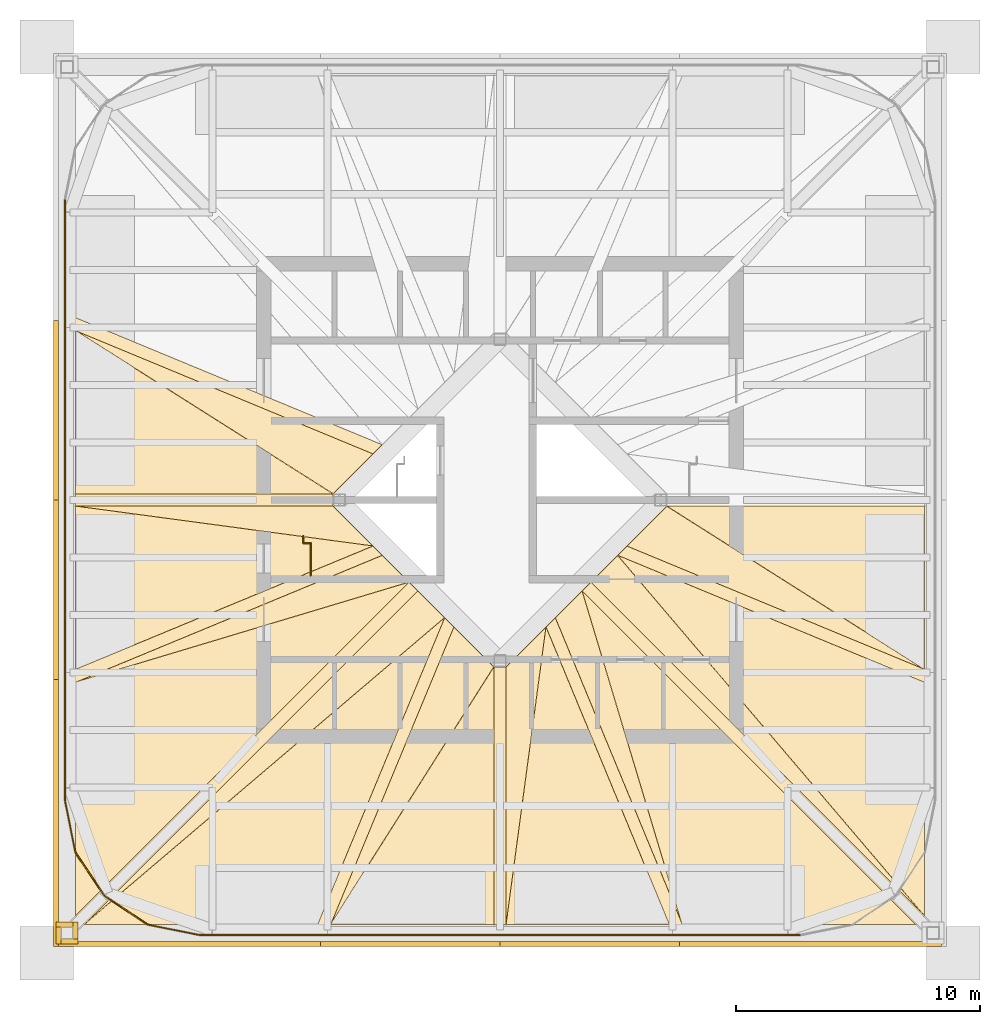
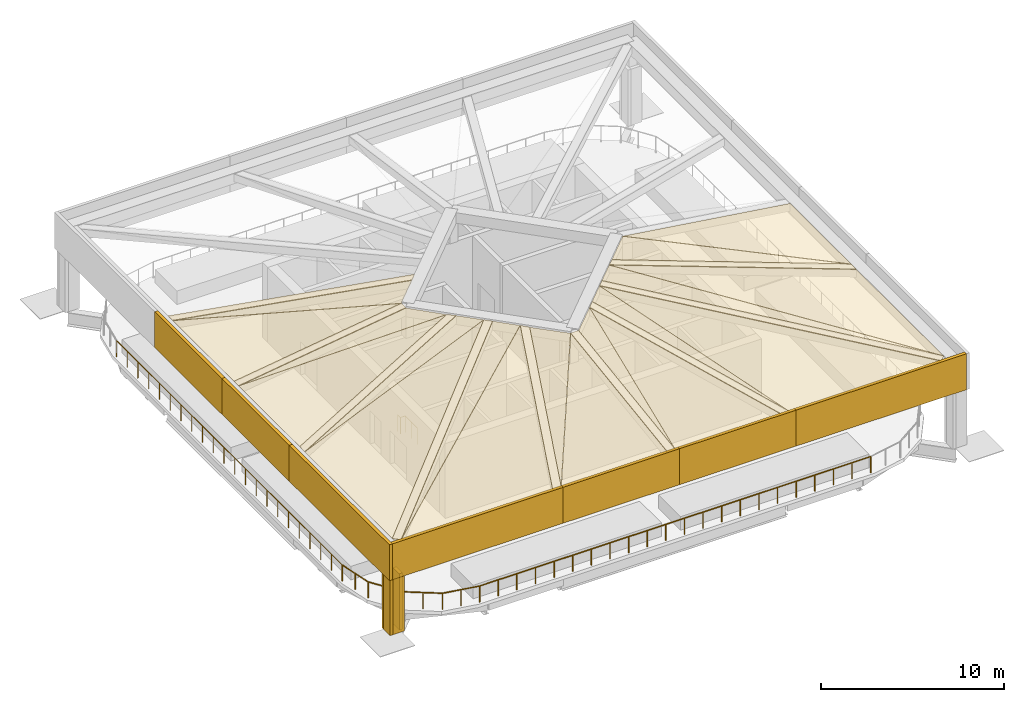
# One storey, part 4 of 7: 38 coverings, 7 railings.
"""IFC4 building model written with IfcOpenShell, lengths in metres."""

from ifc_helpers import new_model, si_unit, direction, frame, origin, origin_2d, place, context, subcontext, project, spatial, polyline, rectangle, circle, outline, extrude, material, type_object, element, save


model = new_model("IFC4")

# Units and contexts
model_context = context("Model", 3, precision=1e-05, world=origin(), true_north=direction((0.0, 1.0)))
body_context = subcontext(model_context, "Body", "Model", "MODEL_VIEW")
ifc_project = project(units=[si_unit("LENGTHUNIT", "METRE"), si_unit("AREAUNIT", "SQUARE_METRE"), si_unit("VOLUMEUNIT", "CUBIC_METRE"), si_unit("PLANEANGLEUNIT", "RADIAN"), si_unit("MASSUNIT", "GRAM", prefix="KILO")], contexts=[model_context])

# Site, building, storey
site_placement = place(None, origin())
site = spatial("IfcSite", under=ifc_project, at=site_placement, CompositionType="ELEMENT")
building_placement = place(site_placement, origin())
building = spatial("IfcBuilding", under=site, at=building_placement, Name="Turquesa Mirador Hotel Tower", CompositionType="ELEMENT")
storey_placement = place(building_placement, frame((0.0, 0.0, 272.199951171875)))
storey = spatial("IfcBuildingStorey", under=building, at=storey_placement, Name="RF", CompositionType="ELEMENT", Elevation=272.199951171875)

# Coverings
ifc_material_1 = material(Name="Laminated glass 30 with turquoise ceramic frit", Category="glass")
covering_type_1 = type_object("IfcCoveringType", Name="CANOPY GLAZING FRITTED LAMINATED GLASS 30", PredefinedType="ROOFING", material=ifc_material_1)
covering_1_placement = place(storey_placement, frame((37.622802734375, 51.92919921875, 5.541259765625), z_axis=(-0.082112226409, 0.094284064765, 0.992153263063), x_axis=(0.918051901641, -0.380276827318, 0.112117083882)))
element("IfcCovering", 1, at=covering_1_placement, inside=storey, type_object=covering_type_1, Name="Canopy glazing panel 07A", PredefinedType="ROOFING", context=body_context, shape_type="SweptSolid", body=[
    extrude(outline(polyline([(0.0, 0.0), (13.250395494532532, -7.216449660063518e-16), (12.375079333425738, -2.1354155224615528), (0.0, 0.0)])), origin(), (0.0, 0.0, -1.0), 0.030029296875),
])
covering_2_placement = place(storey_placement, frame((37.585693359375, 51.939208984375, 5.537109375), z_axis=(-0.141792916437, -0.000469675937, 0.989896231053), x_axis=(0.838733606668, -0.531180502718, 0.119888325443)))
element("IfcCovering", 2, at=covering_2_placement, inside=storey, type_object=covering_type_1, Name="Canopy glazing panel 07B", PredefinedType="ROOFING", context=body_context, shape_type="SweptSolid", body=[
    extrude(outline(polyline([(0.0, 0.0), (12.593099615185151, 5.412337245047638e-16), (3.5527968861685713, -5.667729809673278), (0.0, 0.0)])), origin(), (0.0, 0.0, -1.0), 0.030029296875),
])
covering_3_placement = place(storey_placement, frame((37.63720703125, 44.745361328125, 5.540771484375), z_axis=(-0.140146543021, -0.152174442535, 0.978366948296), x_axis=(0.989895618344, 0.0, 0.141797971716)))
element("IfcCovering", 3, at=covering_3_placement, inside=storey, type_object=covering_type_1, Name="Canopy glazing panel 08A", PredefinedType="ROOFING", context=body_context, shape_type="SweptSolid", body=[
    extrude(outline(polyline([(0.0, 0.0), (10.618030823371836, -2.7755575615628914e-17), (12.22715590654455, -1.6476065702198543), (0.0, 0.0)])), origin(), (0.0, 0.0, -1.0), 0.030029296875),
])
covering_4_placement = place(storey_placement, frame((37.586181640625, 44.7490234375, 5.53369140625), z_axis=(-0.121417439847, 0.000507131584, 0.992601404451), x_axis=(0.98391055485, -0.13197959715, 0.120421783704)))
element("IfcCovering", 4, at=covering_4_placement, inside=storey, type_object=covering_type_1, Name="Canopy glazing panel 08B", PredefinedType="ROOFING", context=body_context, shape_type="SweptSolid", body=[
    extrude(outline(polyline([(0.0, 0.0), (12.399451466125619, -2.671474153004283e-16), (0.8833473696446735, -6.631366761543991), (0.0, 0.0)])), origin(), (0.0, 0.0, -1.0), 0.030029296875),
])
covering_5_placement = place(storey_placement, frame((37.652587890625, 37.54248046875, 5.521728515625), z_axis=(-0.0864843884, -0.083829465191, 0.992720036732), x_axis=(0.918058050237, 0.380269524934, 0.112091501911)))
element("IfcCovering", 5, at=covering_5_placement, inside=storey, type_object=covering_type_1, Name="Canopy glazing panel 09A", PredefinedType="ROOFING", context=body_context, shape_type="SweptSolid", body=[
    extrude(outline(polyline([(0.0, 0.0), (13.634577880056401, 1.3877787807814457e-17), (14.224031544865808, -1.4326945707328618), (0.0, 0.0)])), origin(), (0.0, 0.0, -1.0), 0.030029296875),
])
covering_6_placement = place(storey_placement, frame((37.586669921875, 37.51708984375, 5.513671875), z_axis=(-0.112593240769, 0.002736664847, 0.993637395028), x_axis=(0.952209765763, 0.286048563557, 0.107111069796)))
element("IfcCovering", 6, at=covering_6_placement, inside=storey, type_object=covering_type_1, Name="Canopy glazing panel 09B", PredefinedType="ROOFING", context=body_context, shape_type="SweptSolid", body=[
    extrude(outline(polyline([(0.0, 0.0), (14.371125632082473, 1.1796119636642288e-16), (-2.735657794729184, -9.174339874536502), (0.0, 0.0)])), origin(), (0.0, 0.0, -1.0), 0.030029296875),
])
covering_7_placement = place(storey_placement, frame((38.00439453125, 27.65087890625, 5.546875), z_axis=(-0.053791096159, -0.056455563886, 0.996955007651), x_axis=(0.704954897636, 0.704954897636, 0.077956299282)))
element("IfcCovering", 7, at=covering_7_placement, inside=storey, type_object=covering_type_1, Name="Canopy glazing panel 10A", PredefinedType="ROOFING", context=body_context, shape_type="SweptSolid", body=[
    extrude(outline(polyline([(0.0, 0.0), (19.32297543793521, 1.9606712087227862e-15), (19.322747050339657, -1.5502515051373624), (0.0, 0.0)])), origin(), (0.0, 0.0, -1.0), 0.030029296875),
])
covering_8_placement = place(storey_placement, frame((37.945068359375, 27.586181640625, 5.5400390625), z_axis=(0.002733636071, -0.122318989595, 0.99248707398), x_axis=(0.759250763198, 0.646161792557, 0.077544931642)))
element("IfcCovering", 8, at=covering_8_placement, inside=storey, type_object=covering_type_1, Name="Canopy glazing panel 10B", PredefinedType="ROOFING", context=body_context, shape_type="SweptSolid", body=[
    extrude(outline(polyline([(0.0, 0.0), (19.47270741814689, -2.0261570199409107e-15), (7.266261431425916, -6.232530115789368), (0.0, 0.0)])), origin(), (0.0, 0.0, -1.0), 0.030029296875),
])
covering_9_placement = place(storey_placement, frame((48.07080078125, 27.622802734375, 5.541259765625), z_axis=(-0.094284064765, -0.082112226409, 0.992153263063), x_axis=(0.380276827318, 0.918051901641, 0.112117083882)))
element("IfcCovering", 9, at=covering_9_placement, inside=storey, type_object=covering_type_1, Name="Canopy glazing panel 11A", PredefinedType="ROOFING", context=body_context, shape_type="SweptSolid", body=[
    extrude(outline(polyline([(0.0, 0.0), (13.250395494532532, -7.216449660063518e-16), (12.375079333425738, -2.1354155224615528), (0.0, 0.0)])), origin(), (0.0, 0.0, -1.0), 0.030029296875),
])
covering_10_placement = place(storey_placement, frame((48.060791015625, 27.585693359375, 5.537109375), z_axis=(0.000469675937, -0.141792916437, 0.989896231053), x_axis=(0.531180502718, 0.838733606668, 0.119888325443)))
element("IfcCovering", 10, at=covering_10_placement, inside=storey, type_object=covering_type_1, Name="Canopy glazing panel 11B", PredefinedType="ROOFING", context=body_context, shape_type="SweptSolid", body=[
    extrude(outline(polyline([(0.0, 0.0), (12.593099615185151, 5.412337245047638e-16), (3.5527968861685713, -5.667729809673278), (0.0, 0.0)])), origin(), (0.0, 0.0, -1.0), 0.030029296875),
])
covering_11_placement = place(storey_placement, frame((55.254638671875, 27.63720703125, 5.540771484375), z_axis=(0.152174442535, -0.140146543021, 0.978366948296), x_axis=(0.0, 0.989895618344, 0.141797971716)))
element("IfcCovering", 11, at=covering_11_placement, inside=storey, type_object=covering_type_1, Name="Canopy glazing panel 12A", PredefinedType="ROOFING", context=body_context, shape_type="SweptSolid", body=[
    extrude(outline(polyline([(0.0, 0.0), (10.618030823371836, -2.7755575615628914e-17), (12.22715590654455, -1.6476065702198543), (0.0, 0.0)])), origin(), (0.0, 0.0, -1.0), 0.030029296875),
])
covering_12_placement = place(storey_placement, frame((55.2509765625, 27.586181640625, 5.53369140625), z_axis=(-0.000507131584, -0.121417439847, 0.992601404451), x_axis=(0.13197959715, 0.98391055485, 0.120421783704)))
element("IfcCovering", 12, at=covering_12_placement, inside=storey, type_object=covering_type_1, Name="Canopy glazing panel 12B", PredefinedType="ROOFING", context=body_context, shape_type="SweptSolid", body=[
    extrude(outline(polyline([(0.0, 0.0), (12.399451466125619, -2.671474153004283e-16), (0.8833473696446735, -6.631366761543991), (0.0, 0.0)])), origin(), (0.0, 0.0, -1.0), 0.030029296875),
])
covering_13_placement = place(storey_placement, frame((62.45751953125, 27.652587890625, 5.521728515625), z_axis=(0.083829465191, -0.0864843884, 0.992720036732), x_axis=(-0.380269524934, 0.918058050237, 0.112091501911)))
element("IfcCovering", 13, at=covering_13_placement, inside=storey, type_object=covering_type_1, Name="Canopy glazing panel 13A", PredefinedType="ROOFING", context=body_context, shape_type="SweptSolid", body=[
    extrude(outline(polyline([(0.0, 0.0), (13.634577880056401, 1.3877787807814457e-17), (14.224031544865808, -1.4326945707328618), (0.0, 0.0)])), origin(), (0.0, 0.0, -1.0), 0.030029296875),
])
covering_14_placement = place(storey_placement, frame((62.48291015625, 27.586669921875, 5.513671875), z_axis=(-0.002736664847, -0.112593240769, 0.993637395028), x_axis=(-0.286048563557, 0.952209765763, 0.107111069796)))
element("IfcCovering", 14, at=covering_14_placement, inside=storey, type_object=covering_type_1, Name="Canopy glazing panel 13B", PredefinedType="ROOFING", context=body_context, shape_type="SweptSolid", body=[
    extrude(outline(polyline([(0.0, 0.0), (14.371125632082473, 1.1796119636642288e-16), (-2.735657794729184, -9.174339874536502), (0.0, 0.0)])), origin(), (0.0, 0.0, -1.0), 0.030029296875),
])
covering_15_placement = place(storey_placement, frame((72.34912109375, 28.00439453125, 5.546875), z_axis=(0.056455563886, -0.053791096159, 0.996955007651), x_axis=(-0.704954897636, 0.704954897636, 0.077956299282)))
element("IfcCovering", 15, at=covering_15_placement, inside=storey, type_object=covering_type_1, Name="Canopy glazing panel 14A", PredefinedType="ROOFING", context=body_context, shape_type="SweptSolid", body=[
    extrude(outline(polyline([(0.0, 0.0), (19.32297543793521, 1.9606712087227862e-15), (19.322747050339657, -1.5502515051373624), (0.0, 0.0)])), origin(), (0.0, 0.0, -1.0), 0.030029296875),
])
covering_16_placement = place(storey_placement, frame((72.413818359375, 27.945068359375, 5.5400390625), z_axis=(0.122318989595, 0.002733636071, 0.99248707398), x_axis=(-0.646161792557, 0.759250763198, 0.077544931642)))
element("IfcCovering", 16, at=covering_16_placement, inside=storey, type_object=covering_type_1, Name="Canopy glazing panel 14B", PredefinedType="ROOFING", context=body_context, shape_type="SweptSolid", body=[
    extrude(outline(polyline([(0.0, 0.0), (19.47270741814689, -2.0261570199409107e-15), (7.266261431425916, -6.232530115789368), (0.0, 0.0)])), origin(), (0.0, 0.0, -1.0), 0.030029296875),
])
covering_17_placement = place(storey_placement, frame((72.377197265625, 38.07080078125, 5.541259765625), z_axis=(0.082112226409, -0.094284064765, 0.992153263063), x_axis=(-0.918051901641, 0.380276827318, 0.112117083882)))
element("IfcCovering", 17, at=covering_17_placement, inside=storey, type_object=covering_type_1, Name="Canopy glazing panel 15A", PredefinedType="ROOFING", context=body_context, shape_type="SweptSolid", body=[
    extrude(outline(polyline([(0.0, 0.0), (13.250395494532532, -7.216449660063518e-16), (12.375079333425738, -2.1354155224615528), (0.0, 0.0)])), origin(), (0.0, 0.0, -1.0), 0.030029296875),
])
covering_18_placement = place(storey_placement, frame((72.414306640625, 38.060791015625, 5.537109375), z_axis=(0.141792916437, 0.000469675937, 0.989896231053), x_axis=(-0.838733606668, 0.531180502718, 0.119888325443)))
element("IfcCovering", 18, at=covering_18_placement, inside=storey, type_object=covering_type_1, Name="Canopy glazing panel 15B", PredefinedType="ROOFING", context=body_context, shape_type="SweptSolid", body=[
    extrude(outline(polyline([(0.0, 0.0), (12.593099615185151, 5.412337245047638e-16), (3.5527968861685713, -5.667729809673278), (0.0, 0.0)])), origin(), (0.0, 0.0, -1.0), 0.030029296875),
])
ifc_material_2 = material(Name="Aluminium, polyester powder coated", Category="aluminium")
covering_type_2 = type_object("IfcCoveringType", Name="CANOPY RIB CAPPING ALUMINIUM 500", PredefinedType="ROOFING", material=ifc_material_2)
covering_19_placement = place(storey_placement, frame((37.577880859375, 51.948974609375, 5.555908203125), z_axis=(-0.103661180195, 0.042679184692, 0.993696556759), x_axis=(0.918061913305, -0.38025678932, 0.112103066484)))
element("IfcCovering", 19, at=covering_19_placement, inside=storey, type_object=covering_type_2, Name="Canopy rib capping 07", PredefinedType="ROOFING", context=body_context, shape_type="SweptSolid", body=[
    extrude(outline(polyline([(0.0, 0.0), (13.297326547494954, -5.950101522600448e-16), (13.505819192173247, 0.4938177378703442), (-0.20839257839164077, 0.4942590000362207), (0.0, 0.0)])), origin(), (0.0, 0.0, -1.0), 0.050048828125),
])
covering_20_placement = place(storey_placement, frame((37.574951171875, 44.7529296875, 5.552490234375), z_axis=(-0.141802259286, 0.0, 0.98989500416), x_axis=(0.98989500416, 0.0, 0.141802259286)))
element("IfcCovering", 20, at=covering_20_placement, inside=storey, type_object=covering_type_2, Name="Canopy rib capping 08", PredefinedType="ROOFING", context=body_context, shape_type="SweptSolid", body=[
    extrude(outline(polyline([(0.0, 0.0), (10.677969193654548, 0.0), (10.677969193654548, 0.4941406250000001), (0.0, 0.4941406250000001), (0.0, 0.0)])), origin(), (0.0, 0.0, -1.0), 0.050048828125),
])
covering_21_placement = place(storey_placement, frame((37.57568359375, 37.51513671875, 5.53271484375), z_axis=(-0.103661180195, -0.042679184692, 0.993696556759), x_axis=(0.918049601042, 0.380286515965, 0.112103058841)))
element("IfcCovering", 21, at=covering_21_placement, inside=storey, type_object=covering_type_2, Name="Canopy rib capping 09", PredefinedType="ROOFING", context=body_context, shape_type="SweptSolid", body=[
    extrude(outline(polyline([(0.0, 0.0), (13.714211777663811, -2.122325752640375e-16), (13.505735021945688, 0.4938244459780998), (0.20840848133386103, 0.4942522946366913), (0.0, 0.0)])), origin(), (0.0, 0.0, -1.0), 0.050048828125),
])
covering_22_placement = place(storey_placement, frame((37.9306640625, 27.581298828125, 5.55908203125), z_axis=(-0.055123793602, -0.055123793602, 0.996956736653), x_axis=(0.704954869037, 0.704954869037, 0.077956816521)))
element("IfcCovering", 22, at=covering_22_placement, inside=storey, type_object=covering_type_2, Name="Canopy rib capping 10", PredefinedType="ROOFING", context=body_context, shape_type="SweptSolid", body=[
    extrude(outline(polyline([(0.0, 0.0), (19.42306297026465, 0.0), (19.423062970264652, 0.4940770526747791), (0.0, 0.49407705267478014), (0.0, 0.0)])), origin(), (0.0, 0.0, -1.0), 0.050048828125),
])
covering_23_placement = place(storey_placement, frame((48.051025390625, 27.577880859375, 5.555908203125), z_axis=(-0.042679184692, -0.103661180195, 0.993696556759), x_axis=(0.38025678932, 0.918061913305, 0.112103066484)))
element("IfcCovering", 23, at=covering_23_placement, inside=storey, type_object=covering_type_2, Name="Canopy rib capping 11", PredefinedType="ROOFING", context=body_context, shape_type="SweptSolid", body=[
    extrude(outline(polyline([(0.0, 0.0), (13.297326547494954, -5.950101522600448e-16), (13.505819192173247, 0.4938177378703442), (-0.20839257839164077, 0.4942590000362207), (0.0, 0.0)])), origin(), (0.0, 0.0, -1.0), 0.050048828125),
])
covering_24_placement = place(storey_placement, frame((55.2470703125, 27.574951171875, 5.552490234375), z_axis=(0.0, -0.141802259286, 0.98989500416), x_axis=(0.0, 0.98989500416, 0.141802259286)))
element("IfcCovering", 24, at=covering_24_placement, inside=storey, type_object=covering_type_2, Name="Canopy rib capping 12", PredefinedType="ROOFING", context=body_context, shape_type="SweptSolid", body=[
    extrude(outline(polyline([(0.0, 0.0), (10.677969193654548, 0.0), (10.677969193654548, 0.4941406250000001), (0.0, 0.4941406250000001), (0.0, 0.0)])), origin(), (0.0, 0.0, -1.0), 0.050048828125),
])
covering_25_placement = place(storey_placement, frame((62.48486328125, 27.57568359375, 5.53271484375), z_axis=(0.042679184692, -0.103661180195, 0.993696556759), x_axis=(-0.380286515965, 0.918049601042, 0.112103058841)))
element("IfcCovering", 25, at=covering_25_placement, inside=storey, type_object=covering_type_2, Name="Canopy rib capping 13", PredefinedType="ROOFING", context=body_context, shape_type="SweptSolid", body=[
    extrude(outline(polyline([(0.0, 0.0), (13.714211777663811, -2.122325752640375e-16), (13.505735021945688, 0.4938244459780998), (0.20840848133386103, 0.4942522946366913), (0.0, 0.0)])), origin(), (0.0, 0.0, -1.0), 0.050048828125),
])
covering_26_placement = place(storey_placement, frame((72.418701171875, 27.9306640625, 5.55908203125), z_axis=(0.055123793602, -0.055123793602, 0.996956736653), x_axis=(-0.704954869037, 0.704954869037, 0.077956816521)))
element("IfcCovering", 26, at=covering_26_placement, inside=storey, type_object=covering_type_2, Name="Canopy rib capping 14", PredefinedType="ROOFING", context=body_context, shape_type="SweptSolid", body=[
    extrude(outline(polyline([(0.0, 0.0), (19.42306297026465, 0.0), (19.423062970264652, 0.4940770526747791), (0.0, 0.49407705267478014), (0.0, 0.0)])), origin(), (0.0, 0.0, -1.0), 0.050048828125),
])
covering_27_placement = place(storey_placement, frame((72.422119140625, 38.051025390625, 5.555908203125), z_axis=(0.103661180195, -0.042679184692, 0.993696556759), x_axis=(-0.918061913305, 0.38025678932, 0.112103066484)))
element("IfcCovering", 27, at=covering_27_placement, inside=storey, type_object=covering_type_2, Name="Canopy rib capping 15", PredefinedType="ROOFING", context=body_context, shape_type="SweptSolid", body=[
    extrude(outline(polyline([(0.0, 0.0), (13.297326547494954, -5.950101522600448e-16), (13.505819192173247, 0.4938177378703442), (-0.20839257839164077, 0.4942590000362207), (0.0, 0.0)])), origin(), (0.0, 0.0, -1.0), 0.050048828125),
])
ifc_material_3 = material(Name="Glazed ceramic tile on aluminium carrier", Category="aluminium")
covering_type_3 = type_object("IfcCoveringType", Name="CROWN FASCIA 2400 GLAZED CERAMIC TILE", PredefinedType="CLADDING", material=ifc_material_3)
covering_28_placement = place(storey_placement, frame((36.780029296875, 32.15966796875, 3.800048828125), z_axis=(0.0, 0.0, 1.0), x_axis=(1.0, 0.0, 0.0)))
element("IfcCovering", 28, at=covering_28_placement, inside=storey, type_object=covering_type_3, Name="Crown fascia W1", PredefinedType="CLADDING", context=body_context, shape_type="SweptSolid", body=[
    extrude(rectangle(XDim=0.199951171875, YDim=10.95947265625, at=origin_2d()), origin(), (0.0, 0.0, 1.0), 2.39990234375),
])
for number, where, z_axis, x_axis, name in (
    (29, (36.780029296875, 41.31982421875, 3.800048828125), (0.0, 0.0, 1.0), (1.0, 0.0, 0.0), "Crown fascia W2"),
    (30, (36.780029296875, 48.68017578125, 3.800048828125), (0.0, 0.0, 1.0), (1.0, 0.0, 0.0), "Crown fascia W3"),
):
    element("IfcCovering", number, at=place(storey_placement, frame(where, z_axis=z_axis, x_axis=x_axis)), inside=storey, type_object=covering_type_3, Name=name, PredefinedType="CLADDING", context=body_context, shape_type="SweptSolid", body=[
        extrude(rectangle(XDim=0.199951171875, YDim=7.360595703125, at=origin_2d()), origin(), (0.0, 0.0, 1.0), 2.39990234375),
    ])
covering_29_placement = place(storey_placement, frame((42.259765625, 26.780029296875, 3.800048828125), z_axis=(0.0, 0.0, 1.0), x_axis=(1.0, 0.0, 0.0)))
element("IfcCovering", 31, at=covering_29_placement, inside=storey, type_object=covering_type_3, Name="Crown fascia S1", PredefinedType="CLADDING", context=body_context, shape_type="SweptSolid", body=[
    extrude(rectangle(XDim=10.759521484375, YDim=0.199951171875, at=origin_2d()), origin(), (0.0, 0.0, 1.0), 2.39990234375),
])
for number, where, z_axis, x_axis, name in (
    (32, (51.31982421875, 26.780029296875, 3.800048828125), (0.0, 0.0, 1.0), (1.0, 0.0, 0.0), "Crown fascia S2"),
    (33, (58.68017578125, 26.780029296875, 3.800048828125), (0.0, 0.0, 1.0), (1.0, 0.0, 0.0), "Crown fascia S3"),
):
    element("IfcCovering", number, at=place(storey_placement, frame(where, z_axis=z_axis, x_axis=x_axis)), inside=storey, type_object=covering_type_3, Name=name, PredefinedType="CLADDING", context=body_context, shape_type="SweptSolid", body=[
        extrude(rectangle(XDim=7.360595703125, YDim=0.199951171875, at=origin_2d()), origin(), (0.0, 0.0, 1.0), 2.39990234375),
    ])
covering_30_placement = place(storey_placement, frame((67.740234375, 26.780029296875, 3.800048828125), z_axis=(0.0, 0.0, 1.0), x_axis=(1.0, 0.0, 0.0)))
element("IfcCovering", 34, at=covering_30_placement, inside=storey, type_object=covering_type_3, Name="Crown fascia S4", PredefinedType="CLADDING", context=body_context, shape_type="SweptSolid", body=[
    extrude(rectangle(XDim=10.759521484375, YDim=0.199951171875, at=origin_2d()), origin(), (0.0, 0.0, 1.0), 2.39990234375),
])

# Railings
ifc_material_4 = material(Name="Bronze-finish steel and laminated glass", Category="steel")
railing_type = type_object("IfcRailingType", Name="GUARD 1100 BRONZE AND GLASS", PredefinedType="GUARDRAIL", material=ifc_material_4)
railing_1_placement = place(storey_placement, frame((37.14990234375, 57.35009765625, 0.0)))
element("IfcRailing", 35, at=railing_1_placement, inside=storey, type_object=railing_type, Name="Sky garden guard", PredefinedType="GUARDRAIL", context=body_context, shape_type="SweptSolid", body=[
    extrude(circle(Radius=0.02392578125, at=origin_2d()), frame((0.0, 0.0, 1.076171875), z_axis=(0.0, -1.0, 0.0), x_axis=(1.0, 0.0, 0.0)), (0.0, 0.0, 1.0), 24.7001953125),
    extrude(circle(Radius=0.02099609375, at=origin_2d()), origin(), (0.0, 0.0, 1.0), 1.052001953125),
    extrude(circle(Radius=0.02099609375, at=origin_2d()), frame((0.0, -1.17626953125, 0.0)), (0.0, 0.0, 1.0), 1.052001953125),
    extrude(circle(Radius=0.02099609375, at=origin_2d()), frame((0.0, -2.352294921875, 0.0)), (0.0, 0.0, 1.0), 1.052001953125),
    extrude(circle(Radius=0.02099609375, at=origin_2d()), frame((0.0, -3.528564453125, 0.0)), (0.0, 0.0, 1.0), 1.052001953125),
    extrude(circle(Radius=0.02099609375, at=origin_2d()), frame((0.0, -4.704833984375, 0.0)), (0.0, 0.0, 1.0), 1.052001953125),
    extrude(circle(Radius=0.02099609375, at=origin_2d()), frame((0.0, -5.881103515625, 0.0)), (0.0, 0.0, 1.0), 1.052001953125),
    extrude(circle(Radius=0.02099609375, at=origin_2d()), frame((0.0, -7.05712890625, 0.0)), (0.0, 0.0, 1.0), 1.052001953125),
    extrude(circle(Radius=0.02099609375, at=origin_2d()), frame((0.0, -8.2333984375, 0.0)), (0.0, 0.0, 1.0), 1.052001953125),
    extrude(circle(Radius=0.02099609375, at=origin_2d()), frame((0.0, -9.40966796875, 0.0)), (0.0, 0.0, 1.0), 1.052001953125),
    extrude(circle(Radius=0.02099609375, at=origin_2d()), frame((0.0, -10.585693359375, 0.0)), (0.0, 0.0, 1.0), 1.052001953125),
    extrude(circle(Radius=0.02099609375, at=origin_2d()), frame((0.0, -11.761962890625, 0.0)), (0.0, 0.0, 1.0), 1.052001953125),
    extrude(circle(Radius=0.02099609375, at=origin_2d()), frame((0.0, -12.938232421875, 0.0)), (0.0, 0.0, 1.0), 1.052001953125),
    extrude(circle(Radius=0.02099609375, at=origin_2d()), frame((0.0, -14.114501953125, 0.0)), (0.0, 0.0, 1.0), 1.052001953125),
    extrude(circle(Radius=0.02099609375, at=origin_2d()), frame((0.0, -15.29052734375, 0.0)), (0.0, 0.0, 1.0), 1.052001953125),
    extrude(circle(Radius=0.02099609375, at=origin_2d()), frame((0.0, -16.466796875, 0.0)), (0.0, 0.0, 1.0), 1.052001953125),
    extrude(circle(Radius=0.02099609375, at=origin_2d()), frame((0.0, -17.64306640625, 0.0)), (0.0, 0.0, 1.0), 1.052001953125),
    extrude(circle(Radius=0.02099609375, at=origin_2d()), frame((0.0, -18.819091796875, 0.0)), (0.0, 0.0, 1.0), 1.052001953125),
    extrude(circle(Radius=0.02099609375, at=origin_2d()), frame((0.0, -19.995361328125, 0.0)), (0.0, 0.0, 1.0), 1.052001953125),
    extrude(circle(Radius=0.02099609375, at=origin_2d()), frame((0.0, -21.171630859375, 0.0)), (0.0, 0.0, 1.0), 1.052001953125),
    extrude(circle(Radius=0.02099609375, at=origin_2d()), frame((0.0, -22.347900390625, 0.0)), (0.0, 0.0, 1.0), 1.052001953125),
    extrude(circle(Radius=0.02099609375, at=origin_2d()), frame((0.0, -23.52392578125, 0.0)), (0.0, 0.0, 1.0), 1.052001953125),
    extrude(circle(Radius=0.02099609375, at=origin_2d()), frame((0.0, -24.7001953125, 0.0)), (0.0, 0.0, 1.0), 1.052001953125),
])
railing_2_placement = place(storey_placement, frame((37.14990234375, 32.64990234375, 0.0)))
element("IfcRailing", 36, at=railing_2_placement, inside=storey, type_object=railing_type, Name="Sky garden guard", PredefinedType="GUARDRAIL", context=body_context, shape_type="SweptSolid", body=[
    extrude(circle(Radius=0.02392578125, at=origin_2d()), frame((0.0, 0.0, 1.076171875), z_axis=(0.195109635434, -0.980781438528, 0.0), x_axis=(0.980781438528, 0.195109635434, 0.0)), (0.0, 0.0, 1.0), 2.14599609375),
    extrude(circle(Radius=0.02099609375, at=origin_2d()), origin(), (0.0, 0.0, 1.0), 1.052001953125),
    extrude(circle(Radius=0.02099609375, at=origin_2d()), frame((0.20947265625, -1.05224609375, 0.0)), (0.0, 0.0, 1.0), 1.052001953125),
    extrude(circle(Radius=0.02099609375, at=origin_2d()), frame((0.418701171875, -2.104736328125, 0.0)), (0.0, 0.0, 1.0), 1.052001953125),
])
railing_3_placement = place(storey_placement, frame((37.568603515625, 30.545166015625, 0.0)))
element("IfcRailing", 37, at=railing_3_placement, inside=storey, type_object=railing_type, Name="Sky garden guard", PredefinedType="GUARDRAIL", context=body_context, shape_type="SweptSolid", body=[
    extrude(circle(Radius=0.02392578125, at=origin_2d()), frame((0.0, 0.0, 1.076171875), z_axis=(0.555644991424, -0.831419655472, 0.0), x_axis=(0.831419655472, 0.555644991424, 0.0)), (0.0, 0.0, 1.0), 2.14599609375),
    extrude(circle(Radius=0.02099609375, at=origin_2d()), origin(), (0.0, 0.0, 1.0), 1.052001953125),
    extrude(circle(Radius=0.02099609375, at=origin_2d()), frame((0.59619140625, -0.89208984375, 0.0)), (0.0, 0.0, 1.0), 1.052001953125),
    extrude(circle(Radius=0.02099609375, at=origin_2d()), frame((1.1923828125, -1.7841796875, 0.0)), (0.0, 0.0, 1.0), 1.052001953125),
])
railing_4_placement = place(storey_placement, frame((38.760986328125, 28.760986328125, 0.0)))
element("IfcRailing", 38, at=railing_4_placement, inside=storey, type_object=railing_type, Name="Sky garden guard", PredefinedType="GUARDRAIL", context=body_context, shape_type="SweptSolid", body=[
    extrude(circle(Radius=0.02392578125, at=origin_2d()), frame((0.0, 0.0, 1.076171875), z_axis=(0.831419655472, -0.555644991424, 0.0), x_axis=(0.555644991424, 0.831419655472, 0.0)), (0.0, 0.0, 1.0), 2.14599609375),
    extrude(circle(Radius=0.02099609375, at=origin_2d()), origin(), (0.0, 0.0, 1.0), 1.052001953125),
    extrude(circle(Radius=0.02099609375, at=origin_2d()), frame((0.89208984375, -0.59619140625, 0.0)), (0.0, 0.0, 1.0), 1.052001953125),
    extrude(circle(Radius=0.02099609375, at=origin_2d()), frame((1.7841796875, -1.1923828125, 0.0)), (0.0, 0.0, 1.0), 1.052001953125),
])
railing_5_placement = place(storey_placement, frame((40.545166015625, 27.568603515625, 0.0)))
element("IfcRailing", 39, at=railing_5_placement, inside=storey, type_object=railing_type, Name="Sky garden guard", PredefinedType="GUARDRAIL", context=body_context, shape_type="SweptSolid", body=[
    extrude(circle(Radius=0.02392578125, at=origin_2d()), frame((0.0, 0.0, 1.076171875), z_axis=(0.980781438528, -0.195109635434, 0.0), x_axis=(0.195109635434, 0.980781438528, 0.0)), (0.0, 0.0, 1.0), 2.14599609375),
    extrude(circle(Radius=0.02099609375, at=origin_2d()), origin(), (0.0, 0.0, 1.0), 1.052001953125),
    extrude(circle(Radius=0.02099609375, at=origin_2d()), frame((1.05224609375, -0.20947265625, 0.0)), (0.0, 0.0, 1.0), 1.052001953125),
    extrude(circle(Radius=0.02099609375, at=origin_2d()), frame((2.104736328125, -0.418701171875, 0.0)), (0.0, 0.0, 1.0), 1.052001953125),
])
railing_6_placement = place(storey_placement, frame((42.64990234375, 27.14990234375, 0.0)))
element("IfcRailing", 40, at=railing_6_placement, inside=storey, type_object=railing_type, Name="Sky garden guard", PredefinedType="GUARDRAIL", context=body_context, shape_type="SweptSolid", body=[
    extrude(circle(Radius=0.02392578125, at=origin_2d()), frame((0.0, 0.0, 1.076171875), z_axis=(1.0, 0.0, 0.0), x_axis=(0.0, 1.0, 0.0)), (0.0, 0.0, 1.0), 24.7001953125),
    extrude(circle(Radius=0.02099609375, at=origin_2d()), origin(), (0.0, 0.0, 1.0), 1.052001953125),
    extrude(circle(Radius=0.02099609375, at=origin_2d()), frame((1.17626953125, 0.0, 0.0)), (0.0, 0.0, 1.0), 1.052001953125),
    extrude(circle(Radius=0.02099609375, at=origin_2d()), frame((2.352294921875, 0.0, 0.0)), (0.0, 0.0, 1.0), 1.052001953125),
    extrude(circle(Radius=0.02099609375, at=origin_2d()), frame((3.528564453125, 0.0, 0.0)), (0.0, 0.0, 1.0), 1.052001953125),
    extrude(circle(Radius=0.02099609375, at=origin_2d()), frame((4.704833984375, 0.0, 0.0)), (0.0, 0.0, 1.0), 1.052001953125),
    extrude(circle(Radius=0.02099609375, at=origin_2d()), frame((5.881103515625, 0.0, 0.0)), (0.0, 0.0, 1.0), 1.052001953125),
    extrude(circle(Radius=0.02099609375, at=origin_2d()), frame((7.05712890625, 0.0, 0.0)), (0.0, 0.0, 1.0), 1.052001953125),
    extrude(circle(Radius=0.02099609375, at=origin_2d()), frame((8.2333984375, 0.0, 0.0)), (0.0, 0.0, 1.0), 1.052001953125),
    extrude(circle(Radius=0.02099609375, at=origin_2d()), frame((9.40966796875, 0.0, 0.0)), (0.0, 0.0, 1.0), 1.052001953125),
    extrude(circle(Radius=0.02099609375, at=origin_2d()), frame((10.585693359375, 0.0, 0.0)), (0.0, 0.0, 1.0), 1.052001953125),
    extrude(circle(Radius=0.02099609375, at=origin_2d()), frame((11.761962890625, 0.0, 0.0)), (0.0, 0.0, 1.0), 1.052001953125),
    extrude(circle(Radius=0.02099609375, at=origin_2d()), frame((12.938232421875, 0.0, 0.0)), (0.0, 0.0, 1.0), 1.052001953125),
    extrude(circle(Radius=0.02099609375, at=origin_2d()), frame((14.114501953125, 0.0, 0.0)), (0.0, 0.0, 1.0), 1.052001953125),
    extrude(circle(Radius=0.02099609375, at=origin_2d()), frame((15.29052734375, 0.0, 0.0)), (0.0, 0.0, 1.0), 1.052001953125),
    extrude(circle(Radius=0.02099609375, at=origin_2d()), frame((16.466796875, 0.0, 0.0)), (0.0, 0.0, 1.0), 1.052001953125),
    extrude(circle(Radius=0.02099609375, at=origin_2d()), frame((17.64306640625, 0.0, 0.0)), (0.0, 0.0, 1.0), 1.052001953125),
    extrude(circle(Radius=0.02099609375, at=origin_2d()), frame((18.819091796875, 0.0, 0.0)), (0.0, 0.0, 1.0), 1.052001953125),
    extrude(circle(Radius=0.02099609375, at=origin_2d()), frame((19.995361328125, 0.0, 0.0)), (0.0, 0.0, 1.0), 1.052001953125),
    extrude(circle(Radius=0.02099609375, at=origin_2d()), frame((21.171630859375, 0.0, 0.0)), (0.0, 0.0, 1.0), 1.052001953125),
    extrude(circle(Radius=0.02099609375, at=origin_2d()), frame((22.347900390625, 0.0, 0.0)), (0.0, 0.0, 1.0), 1.052001953125),
    extrude(circle(Radius=0.02099609375, at=origin_2d()), frame((23.52392578125, 0.0, 0.0)), (0.0, 0.0, 1.0), 1.052001953125),
    extrude(circle(Radius=0.02099609375, at=origin_2d()), frame((24.7001953125, 0.0, 0.0)), (0.0, 0.0, 1.0), 1.052001953125),
])
railing_7_placement = place(storey_placement, frame((47.22998046875, 41.89990234375, 0.0)))
element("IfcRailing", 41, at=railing_7_placement, inside=storey, type_object=railing_type, Name="Stair guard ST2", PredefinedType="GUARDRAIL", context=body_context, shape_type="SweptSolid", body=[
    extrude(circle(Radius=0.02392578125, at=origin_2d()), frame((0.0, 0.0, 1.076171875), z_axis=(0.0, 1.0, 0.0), x_axis=(-1.0, 0.0, 0.0)), (0.0, 0.0, 1.0), 1.330078125),
    extrude(circle(Radius=0.02392578125, at=origin_2d()), frame((0.0, 1.330078125, 1.076171875), z_axis=(-1.0, 0.0, 0.0), x_axis=(0.0, -1.0, 0.0)), (0.0, 0.0, 1.0), 0.300048828125),
    extrude(circle(Radius=0.02392578125, at=origin_2d()), frame((-0.300048828125, 1.330078125, 1.076171875), z_axis=(0.0, 1.0, 0.0), x_axis=(-1.0, 0.0, 0.0)), (0.0, 0.0, 1.0), 0.2900390625),
    extrude(circle(Radius=0.02099609375, at=origin_2d()), origin(), (0.0, 0.0, 1.0), 1.052001953125),
    extrude(circle(Radius=0.02099609375, at=origin_2d()), frame((0.0, 0.6650390625, 0.0)), (0.0, 0.0, 1.0), 1.052001953125),
    extrude(circle(Radius=0.02099609375, at=origin_2d()), frame((0.0, 1.330078125, 0.0)), (0.0, 0.0, 1.0), 1.052001953125),
    extrude(circle(Radius=0.02099609375, at=origin_2d()), frame((-0.300048828125, 1.330078125, 0.0)), (0.0, 0.0, 1.0), 1.052001953125),
    extrude(circle(Radius=0.02099609375, at=origin_2d()), frame((-0.300048828125, 1.6201171875, 0.0)), (0.0, 0.0, 1.0), 1.052001953125),
])

# Coverings
ifc_material_5 = material(Name="Glazed ceramic tile on aluminium carrier", Category="aluminium")
covering_type_4 = type_object("IfcCoveringType", Name="POST CASING 900 GLAZED CERAMIC TILE", PredefinedType="CLADDING", material=ifc_material_5)
covering_31_placement = place(storey_placement, frame((37.580078125, 27.330078125, 0.0400390625), z_axis=(0.0, 0.0, 1.0), x_axis=(1.0, 0.0, 0.0)))
element("IfcCovering", 42, at=covering_31_placement, inside=storey, type_object=covering_type_4, Name="Canopy post 3 casing E", PredefinedType="CLADDING", context=body_context, shape_type="SweptSolid", body=[
    extrude(rectangle(XDim=0.199951171875, YDim=0.699951171875, at=origin_2d()), origin(), (0.0, 0.0, 1.0), 3.760009765625),
])
covering_32_placement = place(storey_placement, frame((37.1298828125, 27.580078125, 0.0400390625), z_axis=(0.0, 0.0, 1.0), x_axis=(1.0, 0.0, 0.0)))
element("IfcCovering", 43, at=covering_32_placement, inside=storey, type_object=covering_type_4, Name="Canopy post 3 casing N", PredefinedType="CLADDING", context=body_context, shape_type="SweptSolid", body=[
    extrude(rectangle(XDim=0.699951171875, YDim=0.199951171875, at=origin_2d()), origin(), (0.0, 0.0, 1.0), 3.760009765625),
])
covering_33_placement = place(storey_placement, frame((36.8798828125, 27.1298828125, 0.0400390625), z_axis=(0.0, 0.0, 1.0), x_axis=(1.0, 0.0, 0.0)))
element("IfcCovering", 44, at=covering_33_placement, inside=storey, type_object=covering_type_4, Name="Canopy post 3 casing W", PredefinedType="CLADDING", context=body_context, shape_type="SweptSolid", body=[
    extrude(rectangle(XDim=0.199951171875, YDim=0.699951171875, at=origin_2d()), origin(), (0.0, 0.0, 1.0), 3.760009765625),
])
covering_34_placement = place(storey_placement, frame((37.330078125, 26.8798828125, 0.0400390625), z_axis=(0.0, 0.0, 1.0), x_axis=(1.0, 0.0, 0.0)))
element("IfcCovering", 45, at=covering_34_placement, inside=storey, type_object=covering_type_4, Name="Canopy post 3 casing S", PredefinedType="CLADDING", context=body_context, shape_type="SweptSolid", body=[
    extrude(rectangle(XDim=0.699951171875, YDim=0.199951171875, at=origin_2d()), origin(), (0.0, 0.0, 1.0), 3.760009765625),
])

save(model, "model.ifc")
